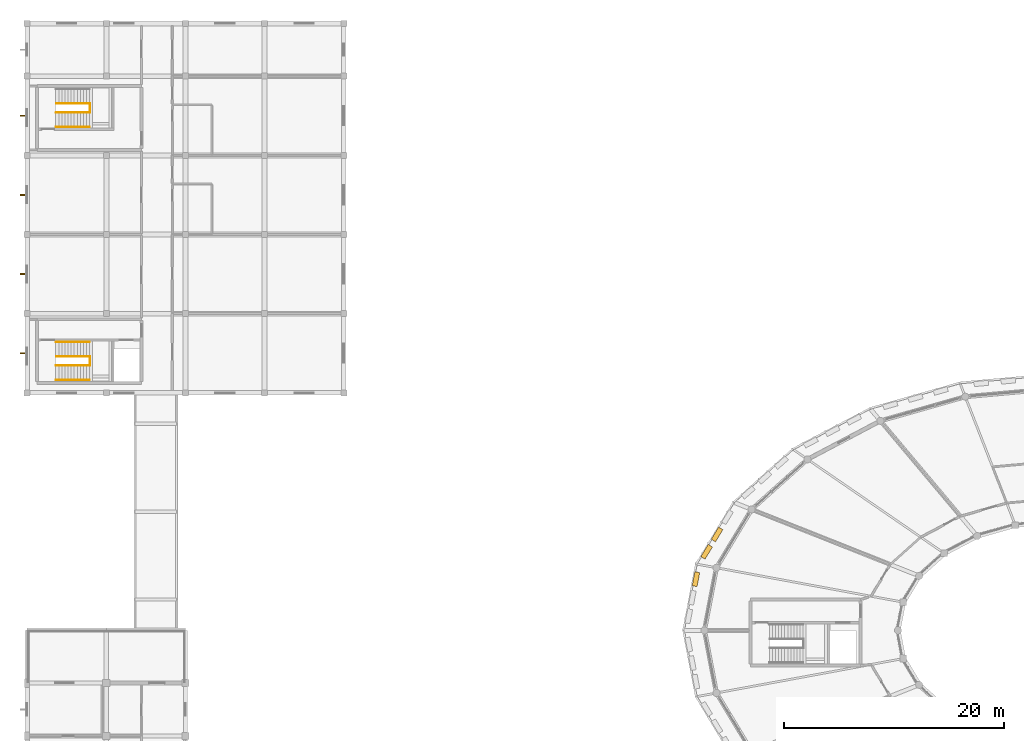
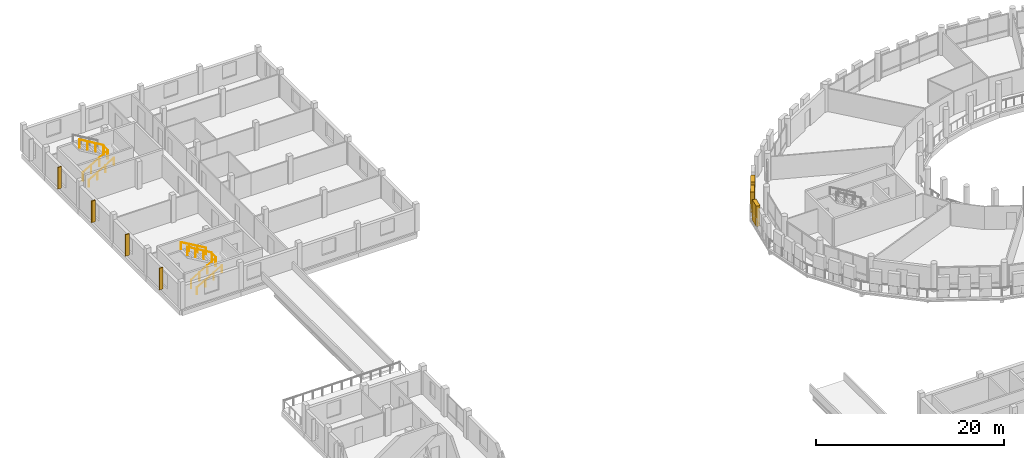
# One storey, part 90 of 93: 9 railings, 7 shading devices.
"""IFC4 building model written with IfcOpenShell, lengths in metres."""

import ifcopenshell
import ifcopenshell.guid

model = None  # the IFC model being written
_history = None  # IfcOwnerHistory: only IFC2X3 demands one
_inside = {}  # id of a spatial element -> (the spatial element, [elements in it])
_under = {}  # id of a project, library or spatial element -> (it, [spatial elements below it])
_declared = {}  # id of a project -> (the project, [libraries it declares])
_typed = {}  # id of a type object -> (the type object, [elements of that type])
_made_of = {}  # id of a material, layer set ... -> (it, [elements and type objects made of it])


def new_model(schema):
    """Start an empty IFC model of exactly this schema.

    Asked for "IFC4X3", IfcOpenShell would pick the latest addendum, in which some entities
    have other attributes; the version numbers below select the first issue.
    IFC2X3 requires an IfcOwnerHistory on every rooted entity: one is made here for all.
    """
    global model, _history
    if schema == "IFC4X3":
        model = ifcopenshell.file(schema_version=(4, 3, 0, 0))
    else:
        model = ifcopenshell.file(schema=schema)
    _inside.clear()
    _under.clear()
    _declared.clear()
    _typed.clear()
    _made_of.clear()
    _history = None
    if model.schema == "IFC2X3":
        org = make("IfcOrganization", Name="unknown")
        user = make(
            "IfcPersonAndOrganization",
            ThePerson=make("IfcPerson", FamilyName="unknown"),
            TheOrganization=org,
        )
        app = make(
            "IfcApplication",
            ApplicationDeveloper=org,
            Version="unknown",
            ApplicationFullName="unknown",
            ApplicationIdentifier="unknown",
        )
        _history = make(
            "IfcOwnerHistory",
            OwningUser=user,
            OwningApplication=app,
            ChangeAction="ADDED",
            CreationDate=0,
        )
    return model


def make(cls, **values):
    """One entity of the class cls with the attributes given. An attribute that is None is left unset."""
    return model.create_entity(
        cls, **{name: value for name, value in values.items() if value is not None}
    )


def rooted(cls, **values):
    """An entity with a GlobalId (a new one), such as an element, a storey or a relation."""
    return make(cls, GlobalId=ifcopenshell.guid.new(), OwnerHistory=_history, **values)


def si_unit(unit_type, name, prefix=None):
    """IfcSIUnit, for example si_unit("LENGTHUNIT", "METRE", prefix="MILLI")."""
    return make("IfcSIUnit", UnitType=unit_type, Prefix=prefix, Name=name)


def assignment(units):
    """IfcUnitAssignment: the units of a project."""
    return None if units is None else make("IfcUnitAssignment", Units=units)


def point(xyz):
    """IfcCartesianPoint."""
    return None if xyz is None else make("IfcCartesianPoint", Coordinates=xyz)


def direction(xyz):
    """IfcDirection."""
    return None if xyz is None else make("IfcDirection", DirectionRatios=xyz)


def frame(location, z_axis=None, x_axis=None):
    """IfcAxis2Placement3D, a coordinate frame: its origin and axes. An axis left out is left unset."""
    return make(
        "IfcAxis2Placement3D",
        Location=point(location),
        Axis=direction(z_axis),
        RefDirection=direction(x_axis),
    )


def frame_2d(location, x_axis=None):
    """IfcAxis2Placement2D, a coordinate frame in the plane: its origin and x axis."""
    return make(
        "IfcAxis2Placement2D", Location=point(location), RefDirection=direction(x_axis)
    )


def origin():
    """The frame at (0, 0, 0) with its axes left unset."""
    return frame((0.0, 0.0, 0.0))


def origin_2d():
    """The frame at (0, 0) in the plane with its x axis left unset."""
    return frame_2d((0.0, 0.0))


def place(relative_to, where):
    """IfcLocalPlacement: puts the frame where relative to a parent placement (None: the world)."""
    return make(
        "IfcLocalPlacement", PlacementRelTo=relative_to, RelativePlacement=where
    )


def context(
    kind, dimensions, precision=None, world=None, true_north=None, identifier=None
):
    """IfcGeometricRepresentationContext, for example the 3D "Model" context."""
    return make(
        "IfcGeometricRepresentationContext",
        ContextIdentifier=identifier,
        ContextType=kind,
        CoordinateSpaceDimension=dimensions,
        Precision=precision,
        WorldCoordinateSystem=world,
        TrueNorth=true_north,
    )


def subcontext(parent, identifier, kind, view, scale=None):
    """IfcGeometricRepresentationSubContext, for example "Body" below "Model"."""
    return make(
        "IfcGeometricRepresentationSubContext",
        ContextIdentifier=identifier,
        ContextType=kind,
        ParentContext=parent,
        TargetScale=scale,
        TargetView=view,
    )


def project(units=None, contexts=None):
    """IfcProject with its units and contexts."""
    return rooted(
        "IfcProject",
        Name="project",
        RepresentationContexts=contexts,
        UnitsInContext=assignment(units),
    )


def spatial(cls, under=None, at=None, **own):
    """A site, building, storey or space (cls), placed at a placement, below another one or the project."""
    s = rooted(cls, ObjectPlacement=at, **own)
    if under is not None:
        _under.setdefault(under.id(), (under, []))[1].append(s)
    return s


def profile(cls, at=None, kind="AREA", **sizes):
    """A parametric profile (cls). Its sizes go by their IFC names, for example OverallWidth=200.0."""
    return make(cls, ProfileType=kind, Position=at, **sizes)


def rectangle(**sizes):
    """IfcRectangleProfileDef."""
    return profile("IfcRectangleProfileDef", **sizes)


def circle(**sizes):
    """IfcCircleProfileDef."""
    return profile("IfcCircleProfileDef", **sizes)


def extrude(swept, where, along, depth):
    """IfcExtrudedAreaSolid: the profile swept, set in the frame where, extruded along a direction by depth."""
    return make(
        "IfcExtrudedAreaSolid",
        SweptArea=swept,
        Position=where,
        ExtrudedDirection=direction(along),
        Depth=depth,
    )


def shape(context_of_items, identifier, shape_type, items):
    """IfcShapeRepresentation: the items that make up one representation, for example the "Body"."""
    return make(
        "IfcShapeRepresentation",
        ContextOfItems=context_of_items,
        RepresentationIdentifier=identifier,
        RepresentationType=shape_type,
        Items=items,
    )


def material(Name=None, Category=None):
    """IfcMaterial."""
    return make("IfcMaterial", Name=Name, Category=Category)


def made_of(thing, what):
    """Note that an element or type object is made of a material, layer set ...; save() writes the relation."""
    if what is not None:
        _made_of.setdefault(what.id(), (what, []))[1].append(thing)
    return thing


def type_object(cls, material=None, **own):
    """A type object (cls), such as IfcWallType, which elements share."""
    return made_of(rooted(cls, **own), material)


def element(
    cls,
    number,
    at=None,
    inside=None,
    cuts=None,
    type_object=None,
    material=None,
    context=None,
    identifier="Body",
    shape_type=None,
    held_by="IfcProductDefinitionShape",
    body=None,
    shapes=None,
    **own,
):
    """One element of the class cls, such as IfcWall. Its Tag is "e" and its number.

    at: its placement. inside: the storey or other place that contains it. cuts: it is an
    opening in that element (IfcRelVoidsElement). A single representation is given by context,
    identifier, shape_type and body (its items); several are given by shapes. held_by: the class
    of the entity that holds the representations. save() writes the other relations.
    """
    e = rooted(cls, Tag="e%d" % number, ObjectPlacement=at, **own)
    if body is not None:
        shapes = [shape(context, identifier, shape_type, body)]
    if shapes is not None:
        e.Representation = make(held_by, Representations=shapes)
    if inside is not None:
        _inside.setdefault(inside.id(), (inside, []))[1].append(e)
    if cuts is not None:
        rooted(
            "IfcRelVoidsElement", RelatingBuildingElement=cuts, RelatedOpeningElement=e
        )
    if type_object is not None:
        _typed.setdefault(type_object.id(), (type_object, []))[1].append(e)
    return made_of(e, material)


def aggregate(whole, parts):
    """IfcRelAggregates: a whole, such as a stair, and the parts it consists of."""
    return rooted("IfcRelAggregates", RelatingObject=whole, RelatedObjects=parts)


def save(model, path):
    """Write the relations noted so far, then the file.

    IfcRelAggregates (storeys below a building ...), IfcRelContainedInSpatialStructure (elements
    in a storey), IfcRelDefinesByType, IfcRelAssociatesMaterial and IfcRelDeclares: one each for
    every whole, place, type object, material and project.
    """
    for whole, parts in _under.values():
        aggregate(whole, parts)
    for where, things in _inside.values():
        rooted(
            "IfcRelContainedInSpatialStructure",
            RelatedElements=things,
            RelatingStructure=where,
        )
    for kind, things in _typed.values():
        rooted("IfcRelDefinesByType", RelatedObjects=things, RelatingType=kind)
    for what, things in _made_of.values():
        rooted("IfcRelAssociatesMaterial", RelatedObjects=things, RelatingMaterial=what)
    for by, libraries in _declared.values():
        rooted("IfcRelDeclares", RelatingContext=by, RelatedDefinitions=libraries)
    model.write(path)


model = new_model("IFC4")

# Units and contexts
model_context = context("Model", 3, precision=1e-05, world=origin(), true_north=direction((0.0, 1.0)))
body_context = subcontext(model_context, "Body", "Model", "MODEL_VIEW")
ifc_project = project(units=[si_unit("LENGTHUNIT", "METRE"), si_unit("AREAUNIT", "SQUARE_METRE"), si_unit("VOLUMEUNIT", "CUBIC_METRE"), si_unit("PLANEANGLEUNIT", "RADIAN"), si_unit("MASSUNIT", "GRAM", prefix="KILO")], contexts=[model_context])

# Site, building, storey
site_placement = place(None, origin())
site = spatial("IfcSite", under=ifc_project, at=site_placement, CompositionType="ELEMENT")
building_placement = place(site_placement, origin())
building = spatial("IfcBuilding", under=site, at=building_placement, Name="Zornivar Specialist Clinic", CompositionType="ELEMENT")
storey_placement = place(building_placement, frame((0.0, 0.0, 8.39990234375)))
storey = spatial("IfcBuildingStorey", under=building, at=storey_placement, Name="L02", CompositionType="ELEMENT", Elevation=8.39990234375)

# Railings
ifc_material_1 = material(Name="Brushed Stainless Steel Stair Guardrail", Category="steel")
railing_type_1 = type_object("IfcRailingType", Name="GRD-INT-STAIR-1100", PredefinedType="GUARDRAIL", material=ifc_material_1)
railing_1_placement = place(storey_placement, frame((2.639892578125, 81.679931640625, 0.162109375)))
element("IfcRailing", 1, at=railing_1_placement, inside=storey, type_object=railing_type_1, Name="stair:C7:L02:grd1", PredefinedType="GUARDRAIL", context=body_context, shape_type="SweptSolid", body=[
    extrude(circle(Radius=0.02392578125, at=origin_2d()), frame((0.0, 0.0, 1.076171875), z_axis=(0.858994273335, 0.0, 0.511985193514), x_axis=(0.0, 1.0, 0.0)), (0.0, 0.0, 1.0), 3.492431640625),
    extrude(circle(Radius=0.02099609375, at=origin_2d()), origin(), (0.0, 0.0, 1.0), 1.052001953125),
    extrude(circle(Radius=0.02099609375, at=origin_2d()), frame((1.0, 0.0, 0.595947265625)), (0.0, 0.0, 1.0), 1.052001953125),
    extrude(circle(Radius=0.02099609375, at=origin_2d()), frame((2.0, 0.0, 1.192138671875)), (0.0, 0.0, 1.0), 1.052001953125),
    extrude(circle(Radius=0.02099609375, at=origin_2d()), frame((3.0, 0.0, 1.7880859375)), (0.0, 0.0, 1.0), 1.052001953125),
])
railing_2_placement = place(storey_placement, frame((5.639892578125, 82.52001953125, 2.112060546875)))
element("IfcRailing", 2, at=railing_2_placement, inside=storey, type_object=railing_type_1, Name="stair:C7:L02:grd2", PredefinedType="GUARDRAIL", context=body_context, shape_type="SweptSolid", body=[
    extrude(circle(Radius=0.02392578125, at=origin_2d()), frame((0.0, 0.0, 1.076171875), z_axis=(-0.857480528274, 0.0, 0.51451641726), x_axis=(0.0, -1.0, 0.0)), (0.0, 0.0, 1.0), 3.475341796875),
    extrude(circle(Radius=0.02099609375, at=origin_2d()), origin(), (0.0, 0.0, 1.0), 1.052001953125),
    extrude(circle(Radius=0.02099609375, at=origin_2d()), frame((-0.993408203125, 0.0, 0.595947265625)), (0.0, 0.0, 1.0), 1.052001953125),
    extrude(circle(Radius=0.02099609375, at=origin_2d()), frame((-1.986572265625, 0.0, 1.192138671875)), (0.0, 0.0, 1.0), 1.052001953125),
    extrude(circle(Radius=0.02099609375, at=origin_2d()), frame((-2.97998046875, 0.0, 1.7880859375)), (0.0, 0.0, 1.0), 1.052001953125),
])
railing_3_placement = place(storey_placement, frame((5.7099609375, 81.679931640625, 1.9501953125)))
element("IfcRailing", 3, at=railing_3_placement, inside=storey, type_object=railing_type_1, Name="stair:C7:L02:grdl", PredefinedType="GUARDRAIL", context=body_context, shape_type="SweptSolid", body=[
    extrude(circle(Radius=0.02392578125, at=origin_2d()), frame((0.0, 0.0, 1.076171875), z_axis=(0.0, 1.0, 0.0), x_axis=(-1.0, 0.0, 0.0)), (0.0, 0.0, 1.0), 0.840087890625),
    extrude(circle(Radius=0.02099609375, at=origin_2d()), origin(), (0.0, 0.0, 1.0), 1.052001953125),
    extrude(circle(Radius=0.02099609375, at=origin_2d()), frame((0.0, 0.840087890625, 0.0)), (0.0, 0.0, 1.0), 1.052001953125),
])
railing_4_placement = place(storey_placement, frame((2.639892578125, 104.679931640625, 0.162109375)))
element("IfcRailing", 4, at=railing_4_placement, inside=storey, type_object=railing_type_1, Name="stair:C8:L02:grd1", PredefinedType="GUARDRAIL", context=body_context, shape_type="SweptSolid", body=[
    extrude(circle(Radius=0.02392578125, at=origin_2d()), frame((0.0, 0.0, 1.076171875), z_axis=(0.858994273335, 0.0, 0.511985193514), x_axis=(0.0, 1.0, 0.0)), (0.0, 0.0, 1.0), 3.492431640625),
    extrude(circle(Radius=0.02099609375, at=origin_2d()), origin(), (0.0, 0.0, 1.0), 1.052001953125),
    extrude(circle(Radius=0.02099609375, at=origin_2d()), frame((1.0, 0.0, 0.595947265625)), (0.0, 0.0, 1.0), 1.052001953125),
    extrude(circle(Radius=0.02099609375, at=origin_2d()), frame((2.0, 0.0, 1.192138671875)), (0.0, 0.0, 1.0), 1.052001953125),
    extrude(circle(Radius=0.02099609375, at=origin_2d()), frame((3.0, 0.0, 1.7880859375)), (0.0, 0.0, 1.0), 1.052001953125),
])
railing_5_placement = place(storey_placement, frame((5.639892578125, 105.52001953125, 2.112060546875)))
element("IfcRailing", 5, at=railing_5_placement, inside=storey, type_object=railing_type_1, Name="stair:C8:L02:grd2", PredefinedType="GUARDRAIL", context=body_context, shape_type="SweptSolid", body=[
    extrude(circle(Radius=0.02392578125, at=origin_2d()), frame((0.0, 0.0, 1.076171875), z_axis=(-0.857480528274, 0.0, 0.51451641726), x_axis=(0.0, -1.0, 0.0)), (0.0, 0.0, 1.0), 3.475341796875),
    extrude(circle(Radius=0.02099609375, at=origin_2d()), origin(), (0.0, 0.0, 1.0), 1.052001953125),
    extrude(circle(Radius=0.02099609375, at=origin_2d()), frame((-0.993408203125, 0.0, 0.595947265625)), (0.0, 0.0, 1.0), 1.052001953125),
    extrude(circle(Radius=0.02099609375, at=origin_2d()), frame((-1.986572265625, 0.0, 1.192138671875)), (0.0, 0.0, 1.0), 1.052001953125),
    extrude(circle(Radius=0.02099609375, at=origin_2d()), frame((-2.97998046875, 0.0, 1.7880859375)), (0.0, 0.0, 1.0), 1.052001953125),
])
railing_6_placement = place(storey_placement, frame((5.7099609375, 104.679931640625, 1.9501953125)))
element("IfcRailing", 6, at=railing_6_placement, inside=storey, type_object=railing_type_1, Name="stair:C8:L02:grdl", PredefinedType="GUARDRAIL", context=body_context, shape_type="SweptSolid", body=[
    extrude(circle(Radius=0.02392578125, at=origin_2d()), frame((0.0, 0.0, 1.076171875), z_axis=(0.0, 1.0, 0.0), x_axis=(-1.0, 0.0, 0.0)), (0.0, 0.0, 1.0), 0.840087890625),
    extrude(circle(Radius=0.02099609375, at=origin_2d()), origin(), (0.0, 0.0, 1.0), 1.052001953125),
    extrude(circle(Radius=0.02099609375, at=origin_2d()), frame((0.0, 0.840087890625, 0.0)), (0.0, 0.0, 1.0), 1.052001953125),
])
ifc_material_2 = material(Name="Brushed Stainless Steel Continuous Handrail", Category="steel")
railing_type_2 = type_object("IfcRailingType", Name="HRL-STAIR-0920", PredefinedType="HANDRAIL", material=ifc_material_2)
railing_7_placement = place(storey_placement, frame((2.60009765625, 80.3701171875, 0.162109375)))
element("IfcRailing", 7, at=railing_7_placement, inside=storey, type_object=railing_type_2, Name="stair:C7:L02:hr1", PredefinedType="HANDRAIL", context=body_context, shape_type="SweptSolid", body=[
    extrude(circle(Radius=0.02392578125, at=origin_2d()), frame((0.0, 0.0, 0.89599609375), z_axis=(0.864813913218, 0.0, 0.502092516877), x_axis=(0.0, 1.0, 0.0)), (0.0, 0.0, 1.0), 3.561279296875),
    extrude(circle(Radius=0.02099609375, at=origin_2d()), origin(), (0.0, 0.0, 1.0), 0.871826171875),
    extrude(circle(Radius=0.02099609375, at=origin_2d()), frame((1.026611328125, 0.0, 0.595947265625)), (0.0, 0.0, 1.0), 0.871826171875),
    extrude(circle(Radius=0.02099609375, at=origin_2d()), frame((2.05322265625, 0.0, 1.192138671875)), (0.0, 0.0, 1.0), 0.871826171875),
    extrude(circle(Radius=0.02099609375, at=origin_2d()), frame((3.079833984375, 0.0, 1.7880859375)), (0.0, 0.0, 1.0), 0.871826171875),
])
railing_8_placement = place(storey_placement, frame((5.679931640625, 83.830078125, 2.112060546875)))
element("IfcRailing", 8, at=railing_8_placement, inside=storey, type_object=railing_type_2, Name="stair:C7:L02:hr2", PredefinedType="HANDRAIL", context=body_context, shape_type="SweptSolid", body=[
    extrude(circle(Radius=0.02392578125, at=origin_2d()), frame((0.0, 0.0, 0.89599609375), z_axis=(-0.863386364223, 0.0, 0.504543344097), x_axis=(0.0, -1.0, 0.0)), (0.0, 0.0, 1.0), 3.5439453125),
    extrude(circle(Radius=0.02099609375, at=origin_2d()), origin(), (0.0, 0.0, 1.0), 0.871826171875),
    extrude(circle(Radius=0.02099609375, at=origin_2d()), frame((-1.02001953125, 0.0, 0.595947265625)), (0.0, 0.0, 1.0), 0.871826171875),
    extrude(circle(Radius=0.02099609375, at=origin_2d()), frame((-2.039794921875, 0.0, 1.192138671875)), (0.0, 0.0, 1.0), 0.871826171875),
    extrude(circle(Radius=0.02099609375, at=origin_2d()), frame((-3.059814453125, 0.0, 1.7880859375)), (0.0, 0.0, 1.0), 0.871826171875),
])
railing_9_placement = place(storey_placement, frame((2.60009765625, 103.3701171875, 0.162109375)))
element("IfcRailing", 9, at=railing_9_placement, inside=storey, type_object=railing_type_2, Name="stair:C8:L02:hr1", PredefinedType="HANDRAIL", context=body_context, shape_type="SweptSolid", body=[
    extrude(circle(Radius=0.02392578125, at=origin_2d()), frame((0.0, 0.0, 0.89599609375), z_axis=(0.864813913218, 0.0, 0.502092516877), x_axis=(0.0, 1.0, 0.0)), (0.0, 0.0, 1.0), 3.561279296875),
    extrude(circle(Radius=0.02099609375, at=origin_2d()), origin(), (0.0, 0.0, 1.0), 0.871826171875),
    extrude(circle(Radius=0.02099609375, at=origin_2d()), frame((1.026611328125, 0.0, 0.595947265625)), (0.0, 0.0, 1.0), 0.871826171875),
    extrude(circle(Radius=0.02099609375, at=origin_2d()), frame((2.05322265625, 0.0, 1.192138671875)), (0.0, 0.0, 1.0), 0.871826171875),
    extrude(circle(Radius=0.02099609375, at=origin_2d()), frame((3.079833984375, 0.0, 1.7880859375)), (0.0, 0.0, 1.0), 0.871826171875),
])

# Shading devices
ifc_material_3 = material(Name="Oiled European Larch Timber Louvre Shutter", Category="wood")
shading_device_type_1 = type_object("IfcShadingDeviceType", Name="SHD-DRUM-SHUTTER-450", PredefinedType="SHUTTER", material=ifc_material_3)
for number, where, z_axis, x_axis, name in (
    (10, (62.743896484375, 66.319091796875, 0.000244140625), (0.0, 0.0, 1.0), (-0.516018019467, -0.856577727696, 0.0), "shutter:V1:L02:c10:1"),
    (11, (61.7958984375, 64.743896484375, 0.000244140625), (0.0, 0.0, 1.0), (-0.516018019467, -0.856577727696, 0.0), "shutter:V1:L02:c10:2"),
    (12, (60.826904296875, 62.260986328125, 0.000244140625), (0.0, 0.0, 1.0), (-0.188098987302, -0.982150075587, 0.0), "shutter:V1:L02:c11:0"),
):
    element("IfcShadingDevice", number, at=place(storey_placement, frame(where, z_axis=z_axis, x_axis=x_axis)), inside=storey, type_object=shading_device_type_1, Name=name, PredefinedType="SHUTTER", context=body_context, shape_type="SweptSolid", body=[
        extrude(rectangle(XDim=1.300048828125, YDim=0.449951171875, at=origin_2d()), origin(), (0.0, 0.0, 1.0), 2.64990234375),
    ])
ifc_material_4 = material(Name="Oiled Larch and Bronze Solar Fin")
shading_device_type_2 = type_object("IfcShadingDeviceType", Name="SHD-FACADE-FIN-450", PredefinedType="JALOUSIE", material=ifc_material_4)
for number, where, z_axis, x_axis, name in (
    (13, (-0.425048828125, 104.39990234375, 0.39990234375), (0.0, 0.0, 1.0), (0.0, -1.0, 0.0), "fin:V5:L02:14"),
    (14, (-0.425048828125, 97.199951171875, 0.39990234375), (0.0, 0.0, 1.0), (0.0, -1.0, 0.0), "fin:V5:L02:15"),
    (15, (-0.425048828125, 90.0, 0.39990234375), (0.0, 0.0, 1.0), (0.0, -1.0, 0.0), "fin:V5:L02:16"),
    (16, (-0.425048828125, 82.800048828125, 0.39990234375), (0.0, 0.0, 1.0), (0.0, -1.0, 0.0), "fin:V5:L02:17"),
):
    element("IfcShadingDevice", number, at=place(storey_placement, frame(where, z_axis=z_axis, x_axis=x_axis)), inside=storey, type_object=shading_device_type_2, Name=name, PredefinedType="JALOUSIE", context=body_context, shape_type="SweptSolid", body=[
        extrude(rectangle(XDim=0.1201171875, YDim=0.449951171875, at=origin_2d()), origin(), (0.0, 0.0, 1.0), 2.800048828125),
    ])

save(model, "model.ifc")
